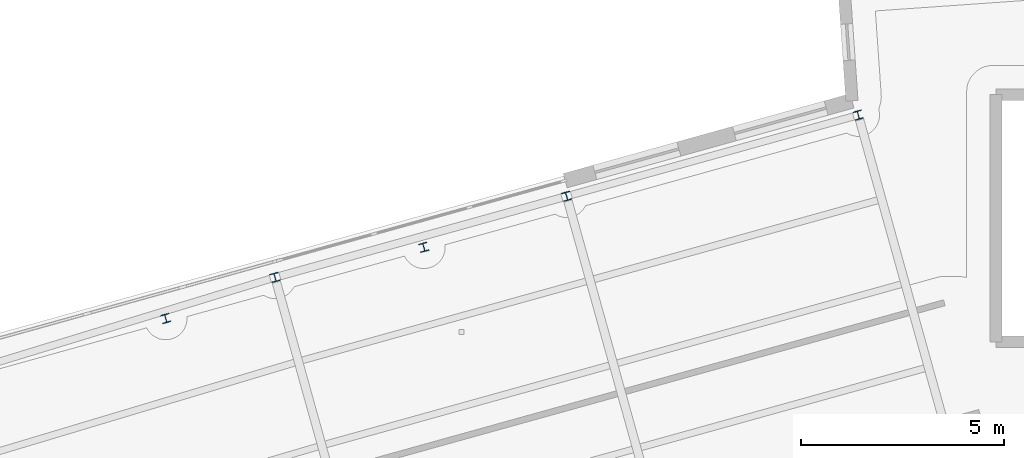
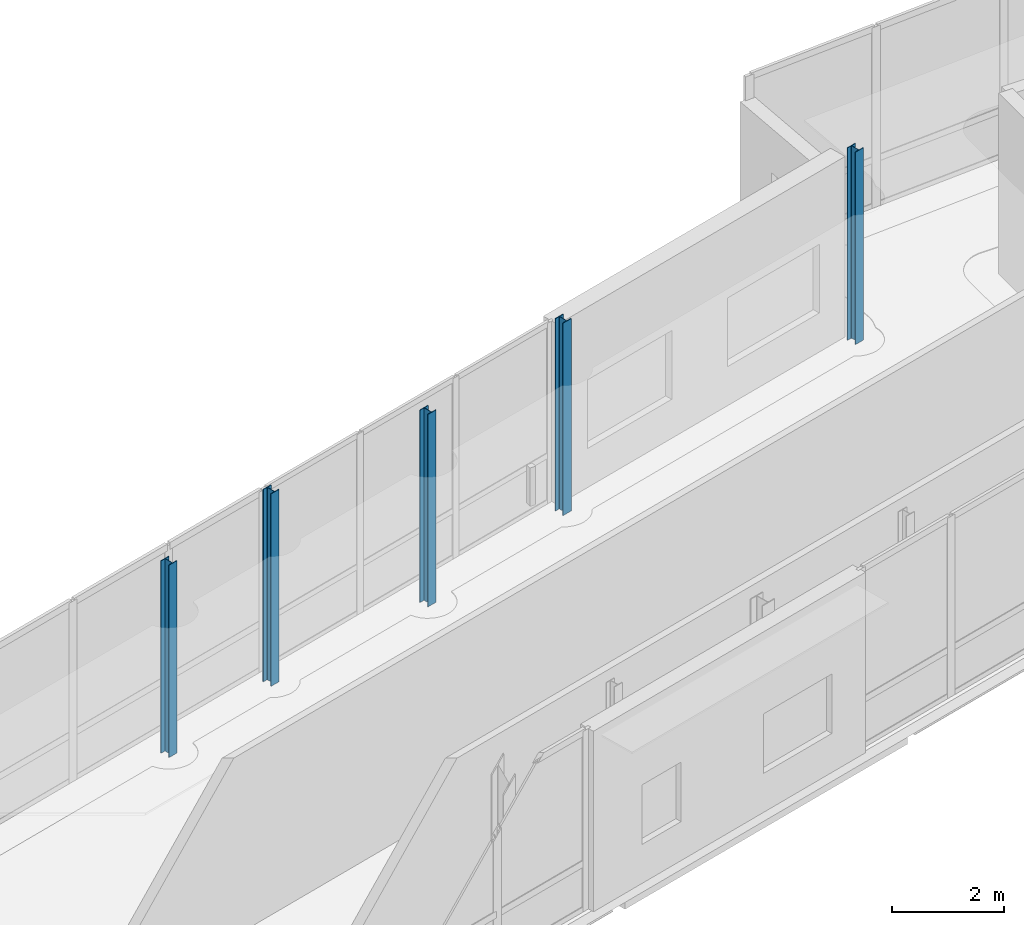
# One storey, part 7 of 125: 5 columns.
"""IFC4 building model written with IfcOpenShell, lengths in metres."""

from ifc_helpers import new_model, si_unit, direction, frame, origin, origin_2d, place, context, subcontext, project, spatial, i_section, extrude, material, material_profile, profile_set, type_object, element, save


model = new_model("IFC4")

# Units and contexts
model_context = context("Model", 3, precision=1e-05, world=origin(), true_north=direction((0.0, 1.0)))
body_context = subcontext(model_context, "Body", "Model", "MODEL_VIEW")
ifc_project = project(units=[si_unit("LENGTHUNIT", "METRE"), si_unit("AREAUNIT", "SQUARE_METRE"), si_unit("VOLUMEUNIT", "CUBIC_METRE"), si_unit("PLANEANGLEUNIT", "RADIAN"), si_unit("MASSUNIT", "GRAM", prefix="KILO")], contexts=[model_context])

# Site, building, storey
site_placement = place(None, origin())
site = spatial("IfcSite", under=ifc_project, at=site_placement, CompositionType="ELEMENT")
building_placement = place(site_placement, origin())
building = spatial("IfcBuilding", under=site, at=building_placement, Name="Wrenclough Park School", CompositionType="ELEMENT")
storey_placement = place(building_placement, frame((0.0, 0.0, 4.199951171875)))
storey = spatial("IfcBuildingStorey", under=building, at=storey_placement, Name="L01", CompositionType="ELEMENT", Elevation=4.199951171875)

# Columns
ifc_material = material(Name="Structural steel S355", Category="steel")
ifc_material_profile = material_profile(ifc_material, i_section(OverallWidth=0.205810546875, OverallDepth=0.209716796875, WebThickness=0.009521484375, FlangeThickness=0.01416015625, FilletRadius=0.01025390625, at=origin_2d()), Name="UKC 203x203x60")
ifc_profile_set = profile_set([ifc_material_profile], Name="Structural steel S355")
column_type = type_object("IfcColumnType", Name="STR-COL-UKC203B", PredefinedType="COLUMN", material=ifc_profile_set)
for number, where, z_axis, x_axis, name in (
    (1, (68.591064453125, 36.6298828125, 0.0), (0.0, 0.0, 1.0), (0.964002648928, 0.265892634084, 0.0), "W12 L01 column EAVE-ENTRANCE-B3"),
    (2, (74.95361328125, 38.384765625, 0.0), (0.0, 0.0, 1.0), (0.964002648928, 0.265892634084, 0.0), "W12 L01 column EAVE-ENTRANCE-B4"),
    (3, (71.284912109375, 37.642578125, 0.0), (0.0, 0.0, 1.0), (0.963396876837, 0.268079200424, 0.0), "W12 L01 column W12-C1-L05"),
    (4, (78.472412109375, 39.642578125, 0.0), (0.0, 0.0, 1.0), (0.963396876837, 0.268079200424, 0.0), "W12 L01 column W12-C1-L06"),
    (5, (85.659912109375, 41.642578125, 0.0), (0.0, 0.0, 1.0), (0.963396876837, 0.268079200424, 0.0), "W12 L01 column W12-C1-L07"),
):
    element("IfcColumn", number, at=place(storey_placement, frame(where, z_axis=z_axis, x_axis=x_axis)), inside=storey, type_object=column_type, Name=name, PredefinedType="COLUMN", context=body_context, shape_type="SweptSolid", body=[
        extrude(i_section(OverallWidth=0.205810546875, OverallDepth=0.209716796875, WebThickness=0.009521484375, FlangeThickness=0.01416015625, FilletRadius=0.01025390625, at=origin_2d()), origin(), (0.0, 0.0, 1.0), 4.199951171875),
    ])

save(model, "model.ifc")
